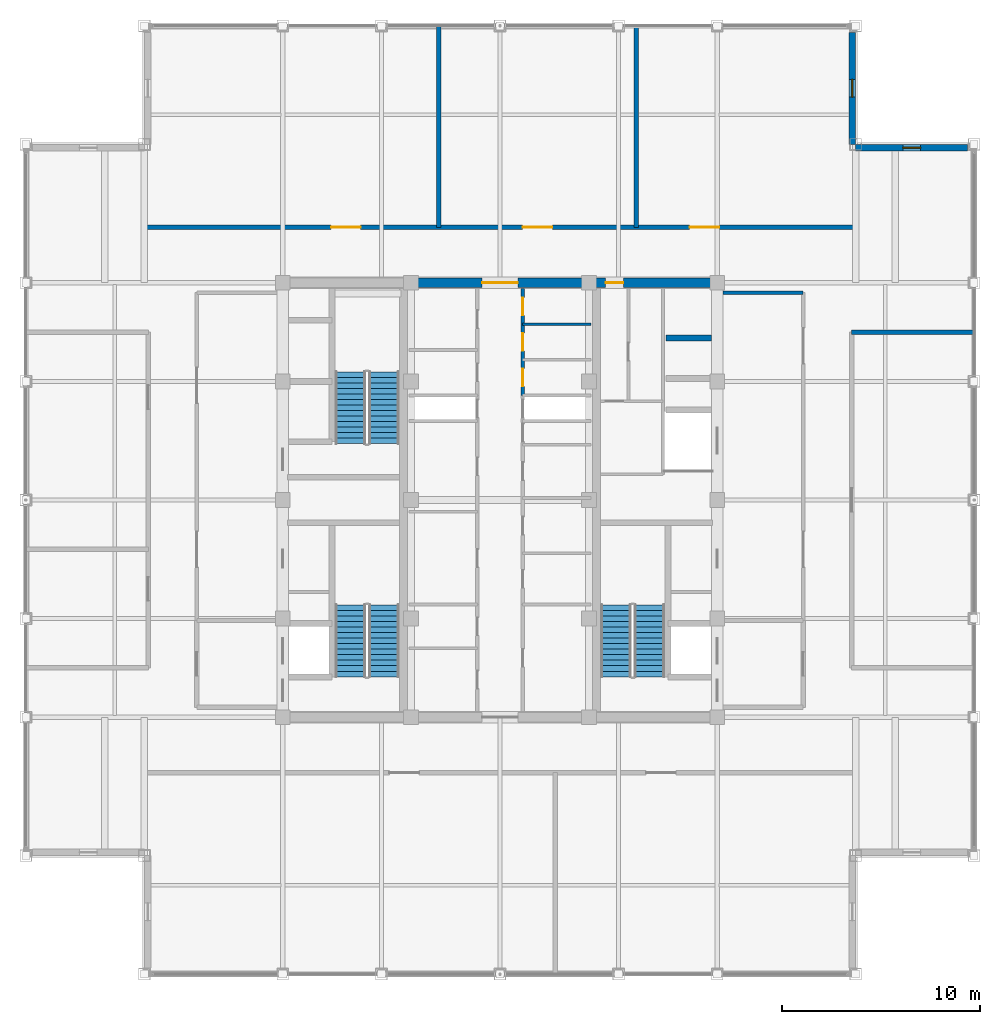
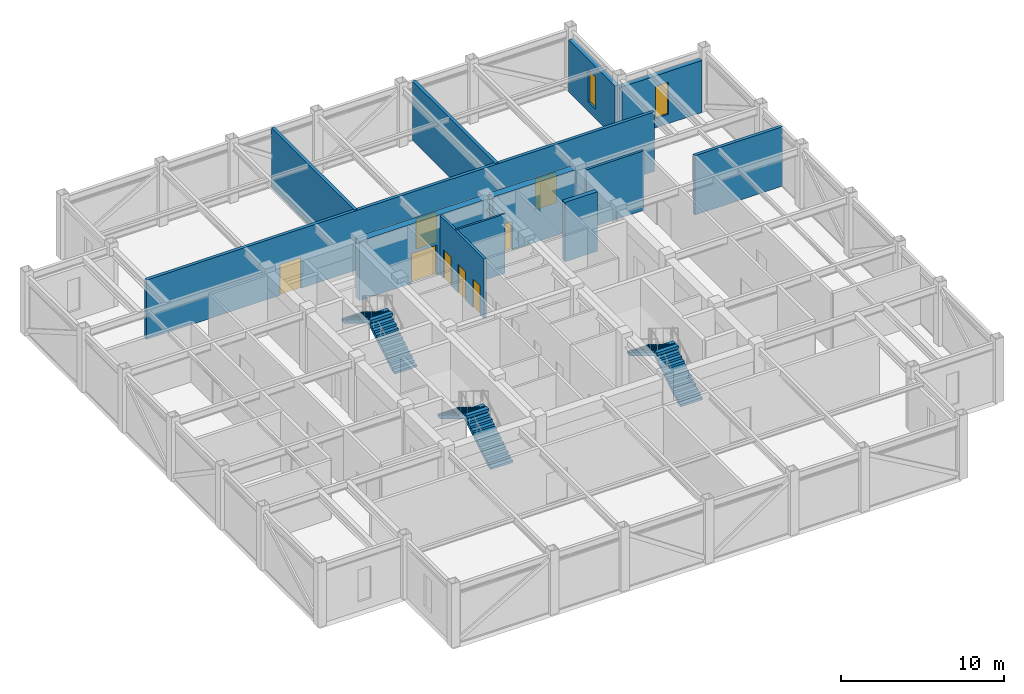
# One storey, part 26 of 27: 12 walls, 8 doors, 6 stair flights, 2 windows, 10 openings, 3 elements without a shape of their own.
"""IFC4 building model written with IfcOpenShell, lengths in metres."""

from ifc_helpers import new_model, si_unit, direction, frame, frame_2d, origin, place, context, subcontext, project, spatial, polyline, rectangle, outline, extrude, source, transform, mapped, material, layer, layer_set, type_object, element, fill, aggregate, save


model = new_model("IFC4")

# Units and contexts
model_context = context("Model", 3, precision=1e-05, world=origin(), true_north=direction((0.0, 1.0)))
body_context = subcontext(model_context, "Body", "Model", "MODEL_VIEW")
ifc_project = project(units=[si_unit("LENGTHUNIT", "METRE"), si_unit("AREAUNIT", "SQUARE_METRE"), si_unit("VOLUMEUNIT", "CUBIC_METRE"), si_unit("PLANEANGLEUNIT", "RADIAN"), si_unit("MASSUNIT", "GRAM", prefix="KILO")], contexts=[model_context])

# Site, building, storey
site_placement = place(None, origin())
site = spatial("IfcSite", under=ifc_project, at=site_placement, CompositionType="ELEMENT")
building_placement = place(site_placement, origin())
building = spatial("IfcBuilding", under=site, at=building_placement, Name="Khorayat Bourse Tower", CompositionType="ELEMENT")
storey_placement = place(building_placement, frame((0.0, 0.0, 394.699951171875)))
storey = spatial("IfcBuildingStorey", under=building, at=storey_placement, Name="L93", CompositionType="ELEMENT", Elevation=394.699951171875)

# Wall, opening, door
ifc_material_1 = material(Name="Concrete C52/65", Category="concrete")
ifc_layer_1 = layer(ifc_material_1, 0.5)
ifc_layer_set_1 = layer_set([ifc_layer_1], Name="Concrete C52/65")
wall_type_1 = type_object("IfcWallType", Name="WAL-CORE-500", PredefinedType="SHEAR", material=ifc_layer_set_1)
shared_shape_1 = source(origin(), body_context, "Body", "SweptSolid", [
    extrude(rectangle(XDim=5.89990234375, YDim=0.5, at=frame_2d((2.949951171875, 0.0))), origin(), (0.0, 0.0, 1.0), 4.449951171875),
])
wall_1_placement = place(storey_placement, frame((4.85009765625, 11.0, 0.0), z_axis=(0.0, 0.0, 1.0), x_axis=(1.0, 0.0, 0.0)))
wall_1 = element("IfcWall", 1, at=wall_1_placement, inside=storey, type_object=wall_type_1, Name="L93 Core Shear Wall PIER-EN", PredefinedType="SHEAR", context=body_context, shape_type="MappedRepresentation", body=[
    mapped(shared_shape_1, transform((0.0, 0.0, 0.0), scale=1.0)),
])
shared_shape_2 = source(origin(), body_context, "Body", "SweptSolid", [
    extrude(rectangle(XDim=0.89990234375, YDim=2.14990234375, at=frame_2d((0.449951171875, 1.074951171875))), frame((0.0, 0.260009765625, 0.0), z_axis=(0.0, -1.0, 0.0), x_axis=(1.0, 0.0, 0.0)), (0.0, 0.0, 1.0), 0.52001953125),
])
opening_1_placement = place(wall_1_placement, frame((0.5, 0.0, 0.0)))
opening_1 = element("IfcOpeningElement", 2, at=opening_1_placement, cuts=wall_1, Name="Opening DI-06", PredefinedType="OPENING", context=body_context, shape_type="MappedRepresentation", body=[
    mapped(shared_shape_2, transform((0.0, 0.0, 0.0), scale=1.0)),
])
ifc_material_2 = material(Name="Moisture-resistant laminate washroom door")
door_type_1 = type_object("IfcDoorType", Name="DR-INT-WC-900", OperationType="NOTDEFINED", PredefinedType="DOOR", material=ifc_material_2)
shared_shape_3 = source(origin(), body_context, "Body", "SweptSolid", [
    extrude(rectangle(XDim=0.89990234375, YDim=2.14990234375, at=frame_2d((0.449951171875, 1.074951171875))), frame((0.0, 0.02490234375, 0.0), z_axis=(0.0, -1.0, 0.0), x_axis=(1.0, 0.0, 0.0)), (0.0, 0.0, 1.0), 0.050048828125),
])
door_1_placement = place(opening_1_placement, origin())
door_1 = element("IfcDoor", 3, at=door_1_placement, inside=storey, type_object=door_type_1, Name="L93 Core Washroom Lobby Door", OperationType="SINGLE_SWING_LEFT", OverallHeight=2.14990234375, OverallWidth=0.89990234375, PredefinedType="DOOR", context=body_context, shape_type="MappedRepresentation", body=[
    mapped(shared_shape_3, transform((0.0, 0.0, 0.0), scale=1.0)),
])
fill(opening_1, door_1)

shared_shape_4 = source(origin(), body_context, "Body", "SweptSolid", [
    extrude(rectangle(XDim=9.2001953125, YDim=0.5, at=frame_2d((4.60009765625, 0.0))), origin(), (0.0, 0.0, 1.0), 4.449951171875),
])
wall_2_placement = place(storey_placement, frame((-4.60009765625, 11.0, 0.0), z_axis=(0.0, 0.0, 1.0), x_axis=(1.0, 0.0, 0.0)))
wall_2 = element("IfcWall", 4, at=wall_2_placement, inside=storey, type_object=wall_type_1, Name="L93 Core Shear Wall CORE-N", PredefinedType="SHEAR", context=body_context, shape_type="MappedRepresentation", body=[
    mapped(shared_shape_4, transform((0.0, 0.0, 0.0), scale=1.0)),
])
shared_shape_5 = source(origin(), body_context, "Body", "SweptSolid", [
    extrude(rectangle(XDim=1.800048828125, YDim=2.25, at=frame_2d((0.89990234375, 1.125))), frame((0.0, 0.260009765625, 0.0), z_axis=(0.0, -1.0, 0.0), x_axis=(1.0, 0.0, 0.0)), (0.0, 0.0, 1.0), 0.52001953125),
])
opening_2_placement = place(wall_2_placement, frame((3.699951171875, 0.0, 0.0)))
opening_2 = element("IfcOpeningElement", 5, at=opening_2_placement, cuts=wall_2, Name="Opening DI-03", PredefinedType="OPENING", context=body_context, shape_type="MappedRepresentation", body=[
    mapped(shared_shape_5, transform((0.0, 0.0, 0.0), scale=1.0)),
])
ifc_material_3 = material(Name="Fire-rated hardwood vision-panel double leaf", Category="wood")
door_type_2 = type_object("IfcDoorType", Name="DR-INT-CORR-1800", OperationType="NOTDEFINED", PredefinedType="DOOR", material=ifc_material_3)
shared_shape_6 = source(origin(), body_context, "Body", "SweptSolid", [
    extrude(rectangle(XDim=1.800048828125, YDim=2.25, at=frame_2d((0.89990234375, 1.125))), frame((0.0, 0.02490234375, 0.0), z_axis=(0.0, -1.0, 0.0), x_axis=(1.0, 0.0, 0.0)), (0.0, 0.0, 1.0), 0.050048828125),
])
door_2_placement = place(opening_2_placement, origin())
door_2 = element("IfcDoor", 6, at=door_2_placement, inside=storey, type_object=door_type_2, Name="L93 Central Core North Passage Door", OperationType="SINGLE_SWING_RIGHT", OverallHeight=2.25, OverallWidth=1.800048828125, PredefinedType="DOOR", context=body_context, shape_type="MappedRepresentation", body=[
    mapped(shared_shape_6, transform((0.0, 0.0, 0.0), scale=1.0)),
])
fill(opening_2, door_2)

# Wall, opening, window
ifc_material_4 = material(Name="Precast concrete C45/55", Category="concrete")
ifc_layer_2 = layer(ifc_material_4, 0.320068359375)
ifc_layer_set_2 = layer_set([ifc_layer_2], Name="Precast concrete C45/55")
wall_type_2 = type_object("IfcWallType", Name="WAL-EXT-STONE-320", PredefinedType="STANDARD", material=ifc_layer_set_2)
shared_shape_7 = source(origin(), body_context, "Body", "SweptSolid", [
    extrude(rectangle(XDim=5.679931640625, YDim=0.320068359375, at=frame_2d((2.83984375, 0.0))), origin(), (0.0, 0.0, 1.0), 3.901123046875),
])
wall_3_placement = place(storey_placement, frame((18.0, 17.840087890625, 0.0), z_axis=(0.0, 0.0, 1.0), x_axis=(1.0, 0.0, 0.0)))
wall_3 = element("IfcWall", 7, at=wall_3_placement, inside=storey, type_object=wall_type_2, Name="L93 Re-Entrant Notch Limestone Wall NE-H", PredefinedType="STANDARD", context=body_context, shape_type="MappedRepresentation", body=[
    mapped(shared_shape_7, transform((0.0, 0.0, 0.0), scale=1.0)),
])
shared_shape_8 = source(origin(), body_context, "Body", "SweptSolid", [
    extrude(rectangle(XDim=0.89990234375, YDim=2.39990234375, at=frame_2d((0.449951171875, 1.199951171875))), frame((0.0, 0.169921875, 0.0), z_axis=(0.0, -1.0, 0.0), x_axis=(1.0, 0.0, 0.0)), (0.0, 0.0, 1.0), 0.340087890625),
])
opening_3_placement = place(wall_3_placement, frame((2.389892578125, 0.0, 0.699951171875)))
opening_3 = element("IfcOpeningElement", 8, at=opening_3_placement, cuts=wall_3, Name="Opening WN-03", PredefinedType="OPENING", context=body_context, shape_type="MappedRepresentation", body=[
    mapped(shared_shape_8, transform((0.0, 0.0, 0.0), scale=1.0)),
])
ifc_material_5 = material(Name="Deep-reveal solar-control double glazing", Category="glass")
window_type = type_object("IfcWindowType", Name="WIN-SLOT-900x2400", PartitioningType="SINGLE_PANEL", PredefinedType="WINDOW", material=ifc_material_5)
shared_shape_9 = source(origin(), body_context, "Body", "SweptSolid", [
    extrude(rectangle(XDim=0.89990234375, YDim=2.39990234375, at=frame_2d((0.449951171875, 1.199951171875))), frame((0.0, 0.030029296875, 0.0), z_axis=(0.0, -1.0, 0.0), x_axis=(1.0, 0.0, 0.0)), (0.0, 0.0, 1.0), 0.06005859375),
])
window_1_placement = place(opening_3_placement, origin())
window_1 = element("IfcWindow", 9, at=window_1_placement, inside=storey, type_object=window_type, Name="L93 Facade Window 1", OverallHeight=2.39990234375, OverallWidth=0.89990234375, PartitioningType="SINGLE_PANEL", PredefinedType="WINDOW", context=body_context, shape_type="MappedRepresentation", body=[
    mapped(shared_shape_9, transform((0.0, 0.0, 0.0), scale=1.0)),
])
fill(opening_3, window_1)

wall_4_placement = place(storey_placement, frame((17.840087890625, 18.0, 0.0), z_axis=(0.0, 0.0, 1.0), x_axis=(0.0, 1.0, 0.0)))
wall_4 = element("IfcWall", 10, at=wall_4_placement, inside=storey, type_object=wall_type_2, Name="L93 Re-Entrant Notch Limestone Wall NE-V", PredefinedType="STANDARD", context=body_context, shape_type="MappedRepresentation", body=[
    mapped(shared_shape_7, transform((0.0, 0.0, 0.0), scale=1.0)),
])
opening_4_placement = place(wall_4_placement, frame((2.389892578125, 0.0, 0.699951171875)))
opening_4 = element("IfcOpeningElement", 11, at=opening_4_placement, cuts=wall_4, Name="Opening WN-03", PredefinedType="OPENING", context=body_context, shape_type="MappedRepresentation", body=[
    mapped(shared_shape_8, transform((0.0, 0.0, 0.0), scale=1.0)),
])
window_2_placement = place(opening_4_placement, origin())
window_2 = element("IfcWindow", 12, at=window_2_placement, inside=storey, type_object=window_type, Name="L93 Facade Window 1", OverallHeight=2.39990234375, OverallWidth=0.89990234375, PartitioningType="SINGLE_PANEL", PredefinedType="WINDOW", context=body_context, shape_type="MappedRepresentation", body=[
    mapped(shared_shape_9, transform((0.0, 0.0, 0.0), scale=1.0)),
])
fill(opening_4, window_2)

# Walls
ifc_material_6 = material(Name="Concrete C50/60", Category="concrete")
ifc_layer_3 = layer(ifc_material_6, 0.300048828125)
ifc_layer_set_3 = layer_set([ifc_layer_3], Name="Concrete C50/60")
wall_type_3 = type_object("IfcWallType", Name="WAL-SHAFT-300", PredefinedType="SHEAR", material=ifc_layer_set_3)
shared_shape_10 = source(origin(), body_context, "Body", "SweptSolid", [
    extrude(rectangle(XDim=2.300048828125, YDim=0.300048828125, at=frame_2d((1.14990234375, 0.0))), origin(), (0.0, 0.0, 1.0), 4.449951171875),
])
wall_5_placement = place(storey_placement, frame((8.39990234375, 8.199951171875, 0.0), z_axis=(0.0, 0.0, 1.0), x_axis=(1.0, 0.0, 0.0)))
element("IfcWall", 13, at=wall_5_placement, inside=storey, type_object=wall_type_3, Name="L93 Partition WAL-L93-EPIER-H34", PredefinedType="SHEAR", context=body_context, shape_type="MappedRepresentation", body=[
    mapped(shared_shape_10, transform((0.0, 0.0, 0.0), scale=1.0)),
])
ifc_material_7 = material(Name="Gypsum plasterboard acoustic stud wall")
ifc_layer_4 = layer(ifc_material_7, 0.179931640625)
ifc_layer_set_4 = layer_set([ifc_layer_4], Name="Gypsum plasterboard acoustic stud wall")
wall_type_4 = type_object("IfcWallType", Name="WAL-PART-CORR-180", PredefinedType="PARTITIONING", material=ifc_layer_set_4)
shared_shape_11 = source(origin(), body_context, "Body", "SweptSolid", [
    extrude(rectangle(XDim=4.050048828125, YDim=0.179931640625, at=frame_2d((2.02490234375, 0.0))), origin(), (0.0, 0.0, 1.0), 4.449951171875),
])
wall_6_placement = place(storey_placement, frame((11.300048828125, 10.5, 0.0), z_axis=(0.0, 0.0, 1.0), x_axis=(1.0, 0.0, 0.0)))
element("IfcWall", 14, at=wall_6_placement, inside=storey, type_object=wall_type_4, Name="L93 Partition WAL-L93-ELOB-N", PredefinedType="PARTITIONING", context=body_context, shape_type="MappedRepresentation", body=[
    mapped(shared_shape_11, transform((0.0, 0.0, 0.0), scale=1.0)),
])
ifc_material_8 = material(Name="Moisture-resistant masonry partition", Category="masonry")
ifc_layer_5 = layer(ifc_material_8, 0.139892578125)
ifc_layer_set_5 = layer_set([ifc_layer_5], Name="Moisture-resistant masonry partition")
wall_type_5 = type_object("IfcWallType", Name="WAL-PART-WET-140", PredefinedType="PARTITIONING", material=ifc_layer_set_5)
shared_shape_12 = source(origin(), body_context, "Body", "SweptSolid", [
    extrude(rectangle(XDim=3.4501953125, YDim=0.139892578125, at=frame_2d((1.72509765625, 0.0))), origin(), (0.0, 0.0, 1.0), 4.449951171875),
])
wall_7_placement = place(storey_placement, frame((1.14990234375, 8.89990234375, 0.0), z_axis=(0.0, 0.0, 1.0), x_axis=(1.0, 0.0, 0.0)))
element("IfcWall", 15, at=wall_7_placement, inside=storey, type_object=wall_type_5, Name="L93 Partition WAL-L93-FB2E-D2", PredefinedType="PARTITIONING", context=body_context, shape_type="MappedRepresentation", body=[
    mapped(shared_shape_12, transform((0.0, 0.0, 0.0), scale=1.0)),
])

# Wall, openings, doors
shared_shape_13 = source(origin(), body_context, "Body", "SweptSolid", [
    extrude(rectangle(XDim=5.39990234375, YDim=0.179931640625, at=frame_2d((2.699951171875, 0.0))), origin(), (0.0, 0.0, 1.0), 4.449951171875),
])
wall_8_placement = place(storey_placement, frame((1.14990234375, 5.300048828125, 0.0), z_axis=(0.0, 0.0, 1.0), x_axis=(0.0, 1.0, 0.0)))
wall_8 = element("IfcWall", 16, at=wall_8_placement, inside=storey, type_object=wall_type_4, Name="L93 Partition WAL-L93-FB2E-L", PredefinedType="PARTITIONING", context=body_context, shape_type="MappedRepresentation", body=[
    mapped(shared_shape_13, transform((0.0, 0.0, 0.0), scale=1.0)),
])
shared_shape_14 = source(origin(), body_context, "Body", "SweptSolid", [
    extrude(rectangle(XDim=0.89990234375, YDim=2.14990234375, at=frame_2d((0.449951171875, 1.074951171875))), frame((0.0, 0.099853515625, 0.0), z_axis=(0.0, -1.0, 0.0), x_axis=(1.0, 0.0, 0.0)), (0.0, 0.0, 1.0), 0.199951171875),
])
opening_5_placement = place(wall_8_placement, frame((0.449951171875, 0.0, 0.0)))
opening_5 = element("IfcOpeningElement", 17, at=opening_5_placement, cuts=wall_8, Name="Opening DI-06", PredefinedType="OPENING", context=body_context, shape_type="MappedRepresentation", body=[
    mapped(shared_shape_14, transform((0.0, 0.0, 0.0), scale=1.0)),
])
opening_6_placement = place(wall_8_placement, frame((2.25, 0.0, 0.0)))
opening_6 = element("IfcOpeningElement", 18, at=opening_6_placement, cuts=wall_8, Name="Opening DI-06", PredefinedType="OPENING", context=body_context, shape_type="MappedRepresentation", body=[
    mapped(shared_shape_14, transform((0.0, 0.0, 0.0), scale=1.0)),
])
opening_7_placement = place(wall_8_placement, frame((4.050048828125, 0.0, 0.0)))
opening_7 = element("IfcOpeningElement", 19, at=opening_7_placement, cuts=wall_8, Name="Opening DI-06", PredefinedType="OPENING", context=body_context, shape_type="MappedRepresentation", body=[
    mapped(shared_shape_14, transform((0.0, 0.0, 0.0), scale=1.0)),
])
door_3_placement = place(opening_5_placement, origin())
door_3 = element("IfcDoor", 20, at=door_3_placement, inside=storey, type_object=door_type_1, Name="L93 Linen Store Door", OperationType="SINGLE_SWING_RIGHT", OverallHeight=2.14990234375, OverallWidth=0.89990234375, PredefinedType="DOOR", context=body_context, shape_type="MappedRepresentation", body=[
    mapped(shared_shape_3, transform((0.0, 0.0, 0.0), scale=1.0)),
])
fill(opening_5, door_3)
door_4_placement = place(opening_6_placement, origin())
door_4 = element("IfcDoor", 21, at=door_4_placement, inside=storey, type_object=door_type_1, Name="L93 Sub-Meter Room Door", OperationType="SINGLE_SWING_LEFT", OverallHeight=2.14990234375, OverallWidth=0.89990234375, PredefinedType="DOOR", context=body_context, shape_type="MappedRepresentation", body=[
    mapped(shared_shape_3, transform((0.0, 0.0, 0.0), scale=1.0)),
])
fill(opening_6, door_4)
door_5_placement = place(opening_7_placement, origin())
door_5 = element("IfcDoor", 22, at=door_5_placement, inside=storey, type_object=door_type_1, Name="L93 Records Store Door", OperationType="SINGLE_SWING_RIGHT", OverallHeight=2.14990234375, OverallWidth=0.89990234375, PredefinedType="DOOR", context=body_context, shape_type="MappedRepresentation", body=[
    mapped(shared_shape_3, transform((0.0, 0.0, 0.0), scale=1.0)),
])
fill(opening_7, door_5)

# Walls
ifc_material_9 = material(Name="Aerated concrete blockwork", Category="masonry")
ifc_layer_6 = layer(ifc_material_9, 0.219970703125)
ifc_layer_set_6 = layer_set([ifc_layer_6], Name="Aerated concrete blockwork")
wall_type_6 = type_object("IfcWallType", Name="WAL-PART-FF-220", PredefinedType="PARTITIONING", material=ifc_layer_set_6)
shared_shape_15 = source(origin(), body_context, "Body", "SweptSolid", [
    extrude(rectangle(XDim=10.199951171875, YDim=0.219970703125, at=frame_2d((5.10009765625, 0.0))), origin(), (0.0, 0.0, 1.0), 4.449951171875),
])
for number, where, z_axis, x_axis, name in (
    (23, (-3.10009765625, 13.800048828125, 0.0), (0.0, 0.0, 1.0), (0.0, 1.0, 0.0), "L93 Partition WAL-L93-PLN-D1"),
    (24, (6.89990234375, 13.800048828125, 0.0), (0.0, 0.0, 1.0), (0.0, 1.0, 0.0), "L93 Partition WAL-L93-PLN-D2"),
):
    element("IfcWall", number, at=place(storey_placement, frame(where, z_axis=z_axis, x_axis=x_axis)), inside=storey, type_object=wall_type_6, Name=name, PredefinedType="PARTITIONING", context=body_context, shape_type="MappedRepresentation", body=[
        mapped(shared_shape_15, transform((0.0, 0.0, 0.0), scale=1.0)),
    ])
shared_shape_16 = source(origin(), body_context, "Body", "SweptSolid", [
    extrude(rectangle(XDim=6.199951171875, YDim=0.219970703125, at=frame_2d((3.10009765625, 0.0))), origin(), (0.0, 0.0, 1.0), 4.449951171875),
])
wall_9_placement = place(storey_placement, frame((17.800048828125, 8.5, 0.0), z_axis=(0.0, 0.0, 1.0), x_axis=(1.0, 0.0, 0.0)))
element("IfcWall", 25, at=wall_9_placement, inside=storey, type_object=wall_type_6, Name="L93 Partition WAL-L93-PLE-N", PredefinedType="PARTITIONING", context=body_context, shape_type="MappedRepresentation", body=[
    mapped(shared_shape_16, transform((0.0, 0.0, 0.0), scale=1.0)),
])

# Wall, openings, doors
shared_shape_17 = source(origin(), body_context, "Body", "SweptSolid", [
    extrude(rectangle(XDim=36.0, YDim=0.219970703125, at=frame_2d((18.0, 0.0))), origin(), (0.0, 0.0, 1.0), 4.449951171875),
])
wall_10_placement = place(storey_placement, frame((-18.0, 13.800048828125, 0.0), z_axis=(0.0, 0.0, 1.0), x_axis=(1.0, 0.0, 0.0)))
wall_10 = element("IfcWall", 26, at=wall_10_placement, inside=storey, type_object=wall_type_6, Name="L93 Partition WAL-L93-PLN-S", PredefinedType="PARTITIONING", context=body_context, shape_type="MappedRepresentation", body=[
    mapped(shared_shape_17, transform((0.0, 0.0, 0.0), scale=1.0)),
])
shared_shape_18 = source(origin(), body_context, "Body", "SweptSolid", [
    extrude(rectangle(XDim=1.5, YDim=2.300048828125, at=frame_2d((0.75, 1.14990234375))), frame((0.0, 0.119873046875, 0.0), z_axis=(0.0, -1.0, 0.0), x_axis=(1.0, 0.0, 0.0)), (0.0, 0.0, 1.0), 0.239990234375),
])
opening_8_placement = place(wall_10_placement, frame((9.449951171875, 0.0, 0.0)))
opening_8 = element("IfcOpeningElement", 27, at=opening_8_placement, cuts=wall_10, Name="Opening DI-07", PredefinedType="OPENING", context=body_context, shape_type="MappedRepresentation", body=[
    mapped(shared_shape_18, transform((0.0, 0.0, 0.0), scale=1.0)),
])
opening_9_placement = place(wall_10_placement, frame((19.14990234375, 0.0, 0.0)))
opening_9 = element("IfcOpeningElement", 28, at=opening_9_placement, cuts=wall_10, Name="Opening DI-07", PredefinedType="OPENING", context=body_context, shape_type="MappedRepresentation", body=[
    mapped(shared_shape_18, transform((0.0, 0.0, 0.0), scale=1.0)),
])
opening_10_placement = place(wall_10_placement, frame((27.60009765625, 0.0, 0.0)))
opening_10 = element("IfcOpeningElement", 29, at=opening_10_placement, cuts=wall_10, Name="Opening DI-07", PredefinedType="OPENING", context=body_context, shape_type="MappedRepresentation", body=[
    mapped(shared_shape_18, transform((0.0, 0.0, 0.0), scale=1.0)),
])
ifc_material_10 = material(Name="Louvred fire-rated steel plant double door", Category="steel")
door_type_3 = type_object("IfcDoorType", Name="DR-INT-PLANT-1500", OperationType="NOTDEFINED", PredefinedType="DOOR", material=ifc_material_10)
shared_shape_19 = source(origin(), body_context, "Body", "SweptSolid", [
    extrude(rectangle(XDim=1.5, YDim=2.300048828125, at=frame_2d((0.75, 1.14990234375))), frame((0.0, 0.02490234375, 0.0), z_axis=(0.0, -1.0, 0.0), x_axis=(1.0, 0.0, 0.0)), (0.0, 0.0, 1.0), 0.050048828125),
])
door_6_placement = place(opening_8_placement, origin())
door_6 = element("IfcDoor", 30, at=door_6_placement, inside=storey, type_object=door_type_3, Name="L93 AHU Plant Door", OperationType="SINGLE_SWING_LEFT", OverallHeight=2.300048828125, OverallWidth=1.5, PredefinedType="DOOR", context=body_context, shape_type="MappedRepresentation", body=[
    mapped(shared_shape_19, transform((0.0, 0.0, 0.0), scale=1.0)),
])
fill(opening_8, door_6)
door_7_placement = place(opening_9_placement, origin())
door_7 = element("IfcDoor", 31, at=door_7_placement, inside=storey, type_object=door_type_3, Name="L93 HV Switchgear Door", OperationType="SINGLE_SWING_RIGHT", OverallHeight=2.300048828125, OverallWidth=1.5, PredefinedType="DOOR", context=body_context, shape_type="MappedRepresentation", body=[
    mapped(shared_shape_19, transform((0.0, 0.0, 0.0), scale=1.0)),
])
fill(opening_9, door_7)
door_8_placement = place(opening_10_placement, origin())
door_8 = element("IfcDoor", 32, at=door_8_placement, inside=storey, type_object=door_type_3, Name="L93 BMS Plant Door", OperationType="SINGLE_SWING_LEFT", OverallHeight=2.300048828125, OverallWidth=1.5, PredefinedType="DOOR", context=body_context, shape_type="MappedRepresentation", body=[
    mapped(shared_shape_19, transform((0.0, 0.0, 0.0), scale=1.0)),
])
fill(opening_10, door_8)

# Stair, stair flights
ifc_material_11 = material(Name="Concrete C40/50", Category="concrete")
stair_type = type_object("IfcStairType", Name="STR-CORE-1550", PredefinedType="HALF_TURN_STAIR", material=ifc_material_11)
stair_1_placement = place(storey_placement, origin())
stair_1 = element("IfcStair", 33, at=stair_1_placement, inside=storey, type_object=stair_type, Name="L93 Exit Stair ST-1", PredefinedType="HALF_TURN_STAIR")
stair_flight_type = type_object("IfcStairFlightType", Name="FLT-CORE-1550", PredefinedType="STRAIGHT", material=ifc_material_11)
shared_shape_20 = source(origin(), body_context, "Body", "SweptSolid", [
    extrude(outline(polyline([(0.0, 0.0), (0.0, 0.17138671875), (0.280029296875, 0.17138671875), (0.280029296875, 0.3427734375), (0.56005859375, 0.3427734375), (0.56005859375, 0.514404296875), (0.840087890625, 0.514404296875), (0.840087890625, 0.685791015625), (1.1201171875, 0.685791015625), (1.1201171875, 0.857177734375), (1.39990234375, 0.857177734375), (1.39990234375, 1.028564453125), (1.679931640625, 1.028564453125), (1.679931640625, 1.199951171875), (1.9599609375, 1.199951171875), (1.9599609375, 1.371337890625), (2.239990234375, 1.371337890625), (2.239990234375, 1.54296875), (2.52001953125, 1.54296875), (2.52001953125, 1.71435546875), (2.800048828125, 1.71435546875), (2.800048828125, 1.8857421875), (3.080078125, 1.8857421875), (3.080078125, 2.05712890625), (3.360107421875, 2.05712890625), (3.360107421875, 2.228515625), (3.639892578125, 2.228515625), (3.639892578125, 2.39990234375), (3.639892578125, 2.017578125), (0.344482421875, 0.0), (0.0, 0.0)])), frame((0.0, 0.77490234375, 0.0), z_axis=(0.0, -1.0, 0.0), x_axis=(1.0, 0.0, 0.0)), (0.0, 0.0, 1.0), 1.550048828125),
])
stair_flight_1_placement = place(storey_placement, frame((-5.875, -8.949951171875, 0.0), z_axis=(0.0, 0.0, 1.0), x_axis=(0.0, 1.0, 0.0)))
stair_flight_1 = element("IfcStairFlight", 34, at=stair_flight_1_placement, type_object=stair_flight_type, Name="ST-1 flight 1", NumberOfRisers=14, NumberOfTreads=13, PredefinedType="STRAIGHT", RiserHeight=0.171428571, TreadLength=0.28, context=body_context, shape_type="MappedRepresentation", body=[
    mapped(shared_shape_20, transform((0.0, 0.0, 0.0), scale=1.0)),
])
stair_flight_2_placement = place(storey_placement, frame((-7.574951171875, -5.31005859375, 2.400146484375), z_axis=(0.0, 0.0, 1.0), x_axis=(0.0, -1.0, 0.0)))
stair_flight_2 = element("IfcStairFlight", 35, at=stair_flight_2_placement, type_object=stair_flight_type, Name="ST-1 flight 2", NumberOfRisers=14, NumberOfTreads=13, PredefinedType="STRAIGHT", RiserHeight=0.171428571, TreadLength=0.28, context=body_context, shape_type="MappedRepresentation", body=[
    mapped(shared_shape_20, transform((0.0, 0.0, 0.0), scale=1.0)),
])
aggregate(stair_1, [stair_flight_1, stair_flight_2])

stair_2_placement = place(storey_placement, origin())
stair_2 = element("IfcStair", 36, at=stair_2_placement, inside=storey, type_object=stair_type, Name="L93 Exit Stair ST-2", PredefinedType="HALF_TURN_STAIR")
stair_flight_3_placement = place(storey_placement, frame((-5.875, 2.85009765625, 0.0), z_axis=(0.0, 0.0, 1.0), x_axis=(0.0, 1.0, 0.0)))
stair_flight_3 = element("IfcStairFlight", 37, at=stair_flight_3_placement, type_object=stair_flight_type, Name="ST-2 flight 1", NumberOfRisers=14, NumberOfTreads=13, PredefinedType="STRAIGHT", RiserHeight=0.171428571, TreadLength=0.28, context=body_context, shape_type="MappedRepresentation", body=[
    mapped(shared_shape_20, transform((0.0, 0.0, 0.0), scale=1.0)),
])
stair_flight_4_placement = place(storey_placement, frame((-7.574951171875, 6.489990234375, 2.400146484375), z_axis=(0.0, 0.0, 1.0), x_axis=(0.0, -1.0, 0.0)))
stair_flight_4 = element("IfcStairFlight", 38, at=stair_flight_4_placement, type_object=stair_flight_type, Name="ST-2 flight 2", NumberOfRisers=14, NumberOfTreads=13, PredefinedType="STRAIGHT", RiserHeight=0.171428571, TreadLength=0.28, context=body_context, shape_type="MappedRepresentation", body=[
    mapped(shared_shape_20, transform((0.0, 0.0, 0.0), scale=1.0)),
])
aggregate(stair_2, [stair_flight_3, stair_flight_4])

stair_3_placement = place(storey_placement, origin())
stair_3 = element("IfcStair", 39, at=stair_3_placement, inside=storey, type_object=stair_type, Name="L93 Exit Stair ST-3", PredefinedType="HALF_TURN_STAIR")
stair_flight_5_placement = place(storey_placement, frame((7.574951171875, -8.949951171875, 0.0), z_axis=(0.0, 0.0, 1.0), x_axis=(0.0, 1.0, 0.0)))
stair_flight_5 = element("IfcStairFlight", 40, at=stair_flight_5_placement, type_object=stair_flight_type, Name="ST-3 flight 1", NumberOfRisers=14, NumberOfTreads=13, PredefinedType="STRAIGHT", RiserHeight=0.171428571, TreadLength=0.28, context=body_context, shape_type="MappedRepresentation", body=[
    mapped(shared_shape_20, transform((0.0, 0.0, 0.0), scale=1.0)),
])
stair_flight_6_placement = place(storey_placement, frame((5.875, -5.31005859375, 2.400146484375), z_axis=(0.0, 0.0, 1.0), x_axis=(0.0, -1.0, 0.0)))
stair_flight_6 = element("IfcStairFlight", 41, at=stair_flight_6_placement, type_object=stair_flight_type, Name="ST-3 flight 2", NumberOfRisers=14, NumberOfTreads=13, PredefinedType="STRAIGHT", RiserHeight=0.171428571, TreadLength=0.28, context=body_context, shape_type="MappedRepresentation", body=[
    mapped(shared_shape_20, transform((0.0, 0.0, 0.0), scale=1.0)),
])
aggregate(stair_3, [stair_flight_5, stair_flight_6])

save(model, "model.ifc")
